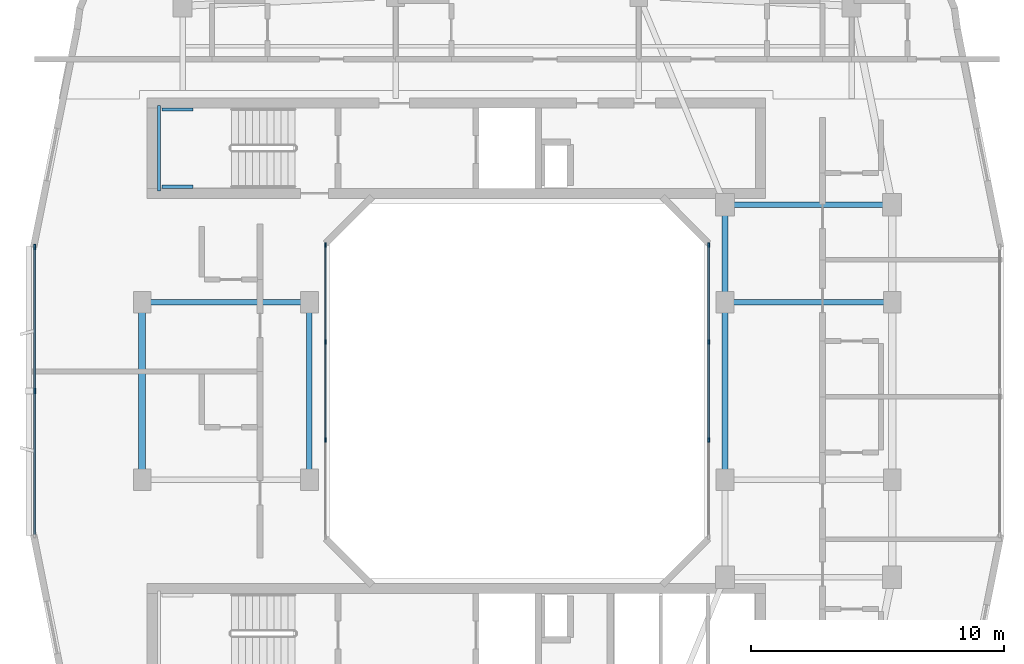
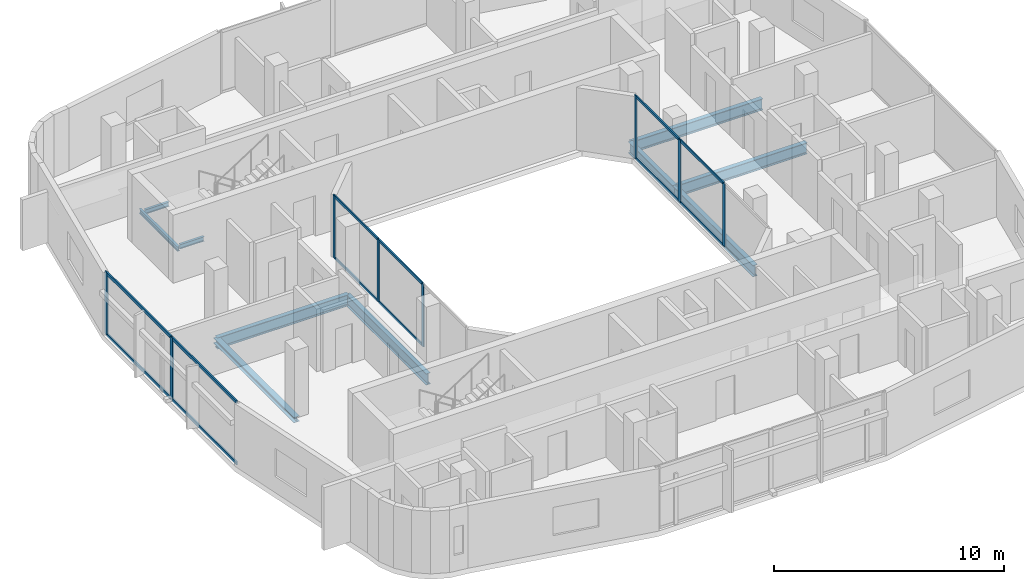
# One storey, part 3 of 14: 20 members, 10 beams, 3 elements without a shape of their own.
"""IFC4 building model written with IfcOpenShell, lengths in metres."""

from ifc_helpers import new_model, si_unit, derived_unit, direction, frame, origin, origin_2d, place, context, subcontext, project, spatial, rectangle, i_section, extrude, material, layer, layer_set, material_profile, profile_set, type_object, element, aggregate, save


model = new_model("IFC4")

# Units and contexts
model_context = context("Model", 3, precision=1e-05, world=origin(), true_north=direction((0.0, 1.0)))
body_context = subcontext(model_context, "Body", "Model", "MODEL_VIEW")
ifc_project = project(units=[si_unit("LENGTHUNIT", "METRE"), si_unit("AREAUNIT", "SQUARE_METRE"), si_unit("VOLUMEUNIT", "CUBIC_METRE"), si_unit("PLANEANGLEUNIT", "RADIAN"), si_unit("MASSUNIT", "GRAM", prefix="KILO"), derived_unit("THERMALTRANSMITTANCEUNIT", [(si_unit("POWERUNIT", "WATT"), 1), (si_unit("LENGTHUNIT", "METRE"), -2), (si_unit("THERMODYNAMICTEMPERATUREUNIT", "KELVIN"), -1)])], contexts=[model_context])

# Site, building, storey
site_placement = place(None, origin())
site = spatial("IfcSite", under=ifc_project, at=site_placement, CompositionType="ELEMENT")
building_placement = place(site_placement, origin())
building = spatial("IfcBuilding", under=site, at=building_placement, Name="Kivonza Crest Hotel", CompositionType="ELEMENT")
storey_placement = place(building_placement, frame((0.0, 0.0, 224.300048828125)))
storey = spatial("IfcBuildingStorey", under=building, at=storey_placement, Name="L61", CompositionType="ELEMENT", Elevation=224.300048828125)

# Beams
ifc_material_1 = material(Name="Steel S355", Category="steel")
ifc_material_profile_1 = material_profile(ifc_material_1, i_section(OverallWidth=0.280029296875, OverallDepth=0.280029296875, WebThickness=0.010498046875, FlangeThickness=0.01806640625, FilletRadius=0.02392578125, at=origin_2d()), Name="HEB 280")
ifc_profile_set_1 = profile_set([ifc_material_profile_1], Name="Steel S355")
beam_type_1 = type_object("IfcBeamType", Name="BM-HEB280", PredefinedType="SPANDREL", material=ifc_profile_set_1)
beam_1_placement = place(storey_placement, frame((6.199951171875, 28.5, -0.420166015625), z_axis=(0.0, -1.0, 0.0), x_axis=(1.0, 0.0, 0.0)))
element("IfcBeam", 1, at=beam_1_placement, inside=storey, type_object=beam_type_1, Name="Tower T1 L61 perimeter spandrel W2-W1", PredefinedType="SPANDREL", context=body_context, shape_type="SweptSolid", body=[
    extrude(i_section(OverallWidth=0.280029296875, OverallDepth=0.280029296875, WebThickness=0.010498046875, FlangeThickness=0.01806640625, FilletRadius=0.02392578125, at=origin_2d()), origin(), (0.0, 0.0, 1.0), 7.0),
])
ifc_material_profile_2 = material_profile(ifc_material_1, i_section(OverallWidth=0.219970703125, OverallDepth=0.60009765625, WebThickness=0.011962890625, FlangeThickness=0.01904296875, FilletRadius=0.02392578125, at=origin_2d()), Name="IPE 600")
ifc_profile_set_2 = profile_set([ifc_material_profile_2], Name="Steel S355")
beam_type_2 = type_object("IfcBeamType", Name="BM-IPE600", PredefinedType="BEAM", material=ifc_profile_set_2)
beam_2_placement = place(storey_placement, frame((6.199951171875, 28.5, -0.580078125), z_axis=(1.0, 0.0, 0.0), x_axis=(0.0, 1.0, 0.0)))
element("IfcBeam", 2, at=beam_2_placement, inside=storey, type_object=beam_type_2, Name="Tower T1 L61 primary girder W2-WL2", PredefinedType="BEAM", context=body_context, shape_type="SweptSolid", body=[
    extrude(i_section(OverallWidth=0.219970703125, OverallDepth=0.60009765625, WebThickness=0.011962890625, FlangeThickness=0.01904296875, FilletRadius=0.02392578125, at=origin_2d()), origin(), (0.0, 0.0, 1.0), 6.60009765625),
])
beam_3_placement = place(storey_placement, frame((12.800048828125, 21.5, -0.580078125), z_axis=(0.0, 1.0, 0.0), x_axis=(-1.0, 0.0, 0.0)))
element("IfcBeam", 3, at=beam_3_placement, inside=storey, type_object=beam_type_2, Name="Tower T1 L61 primary girder WL1-WL2", PredefinedType="BEAM", context=body_context, shape_type="SweptSolid", body=[
    extrude(i_section(OverallWidth=0.219970703125, OverallDepth=0.60009765625, WebThickness=0.011962890625, FlangeThickness=0.01904296875, FilletRadius=0.02392578125, at=origin_2d()), origin(), (0.0, 0.0, 1.0), 7.0),
])
beam_4_placement = place(storey_placement, frame((29.199951171875, 32.35009765625, -0.580078125), z_axis=(1.0, 0.0, 0.0), x_axis=(0.0, 1.0, 0.0)))
element("IfcBeam", 4, at=beam_4_placement, inside=storey, type_object=beam_type_2, Name="Tower T1 L61 primary girder TNE-PNE", PredefinedType="BEAM", context=body_context, shape_type="SweptSolid", body=[
    extrude(i_section(OverallWidth=0.219970703125, OverallDepth=0.60009765625, WebThickness=0.011962890625, FlangeThickness=0.01904296875, FilletRadius=0.02392578125, at=origin_2d()), origin(), (0.0, 0.0, 1.0), 6.60009765625),
])
beam_5_placement = place(storey_placement, frame((29.199951171875, 21.5, -0.580078125), z_axis=(0.0, 1.0, 0.0), x_axis=(-1.0, 0.0, 0.0)))
element("IfcBeam", 5, at=beam_5_placement, inside=storey, type_object=beam_type_2, Name="Tower T1 L61 primary girder WR1-WR2", PredefinedType="BEAM", context=body_context, shape_type="SweptSolid", body=[
    extrude(i_section(OverallWidth=0.219970703125, OverallDepth=0.60009765625, WebThickness=0.011962890625, FlangeThickness=0.01904296875, FilletRadius=0.02392578125, at=origin_2d()), origin(), (0.0, 0.0, 1.0), 7.0),
])
beam_6_placement = place(storey_placement, frame((29.199951171875, 28.5, -0.580078125), z_axis=(0.0, 1.0, 0.0), x_axis=(-1.0, 0.0, 0.0)))
element("IfcBeam", 6, at=beam_6_placement, inside=storey, type_object=beam_type_2, Name="Tower T1 L61 primary girder WR2-TNE", PredefinedType="BEAM", context=body_context, shape_type="SweptSolid", body=[
    extrude(i_section(OverallWidth=0.219970703125, OverallDepth=0.60009765625, WebThickness=0.011962890625, FlangeThickness=0.01904296875, FilletRadius=0.02392578125, at=origin_2d()), origin(), (0.0, 0.0, 1.0), 3.85009765625),
])
beam_7_placement = place(storey_placement, frame((29.199951171875, 28.5, -0.580078125), z_axis=(1.0, 0.0, 0.0), x_axis=(0.0, 1.0, 0.0)))
element("IfcBeam", 7, at=beam_7_placement, inside=storey, type_object=beam_type_2, Name="Tower T1 L61 primary girder WR2-E2", PredefinedType="BEAM", context=body_context, shape_type="SweptSolid", body=[
    extrude(i_section(OverallWidth=0.219970703125, OverallDepth=0.60009765625, WebThickness=0.011962890625, FlangeThickness=0.01904296875, FilletRadius=0.02392578125, at=origin_2d()), origin(), (0.0, 0.0, 1.0), 6.60009765625),
])
ifc_material_profile_3 = material_profile(ifc_material_1, i_section(OverallWidth=0.1201171875, OverallDepth=0.239990234375, WebThickness=0.006103515625, FlangeThickness=0.009765625, FilletRadius=0.014892578125, at=origin_2d()), Name="IPE 240")
ifc_profile_set_3 = profile_set([ifc_material_profile_3], Name="Steel S355")
beam_type_3 = type_object("IfcBeamType", Name="BM-LLDG-240", PredefinedType="BEAM", material=ifc_profile_set_3)
beam_8_placement = place(storey_placement, frame((6.860107421875, 32.89990234375, 1.47998046875), z_axis=(0.0, 1.0, 0.0), x_axis=(-1.0, 0.0, 0.0)))
element("IfcBeam", 8, at=beam_8_placement, inside=storey, type_object=beam_type_3, Name="Stair ST-T1-N L61 West landing corbel", PredefinedType="BEAM", context=body_context, shape_type="SweptSolid", body=[
    extrude(i_section(OverallWidth=0.1201171875, OverallDepth=0.239990234375, WebThickness=0.006103515625, FlangeThickness=0.009765625, FilletRadius=0.014892578125, at=origin_2d()), origin(), (0.0, 0.0, 1.0), 3.360107421875),
])
for number, where, z_axis, x_axis, name in (
    (9, (6.989990234375, 33.06005859375, 1.47998046875), (1.0, 0.0, 0.0), (0.0, 1.0, 0.0), "Stair ST-T1-N L61 South landing corbel"),
    (10, (6.989990234375, 36.10009765625, 1.47998046875), (1.0, 0.0, 0.0), (0.0, 1.0, 0.0), "Stair ST-T1-N L61 North landing corbel"),
):
    element("IfcBeam", number, at=place(storey_placement, frame(where, z_axis=z_axis, x_axis=x_axis)), inside=storey, type_object=beam_type_3, Name=name, PredefinedType="BEAM", context=body_context, shape_type="SweptSolid", body=[
        extrude(i_section(OverallWidth=0.1201171875, OverallDepth=0.239990234375, WebThickness=0.006103515625, FlangeThickness=0.009765625, FilletRadius=0.014892578125, at=origin_2d()), origin(), (0.0, 0.0, 1.0), 1.2099609375),
    ])

# Curtain wall, members
ifc_material_2 = material(Name="Anodised bronze aluminium and low-E double glazing", Category="aluminium")
ifc_layer_1 = layer(ifc_material_2, 0.159912109375)
ifc_layer_set_1 = layer_set([ifc_layer_1], Name="Anodised bronze aluminium and low-E double glazing")
curtain_wall_type_1 = type_object("IfcCurtainWallType", Name="CW-SYS-5", PredefinedType="NOTDEFINED", material=ifc_layer_set_1)
curtain_wall_1_placement = place(storey_placement, origin())
curtain_wall_1 = element("IfcCurtainWall", 11, at=curtain_wall_1_placement, inside=storey, type_object=curtain_wall_type_1, Name="L61 unitised curtain wall CW-WELL-T1-L61-3", PredefinedType="NOTDEFINED")
ifc_material_3 = material(Name="Anodised bronze aluminium", Category="aluminium")
ifc_material_profile_4 = material_profile(ifc_material_3, rectangle(XDim=0.06494140625, YDim=0.179931640625, at=origin_2d()), Name="CW-M 65x180")
ifc_profile_set_4 = profile_set([ifc_material_profile_4], Name="Anodised bronze aluminium")
member_type_1 = type_object("IfcMemberType", Name="CW-MUL-65x180", PredefinedType="MULLION", material=ifc_profile_set_4)
member_1_placement = place(storey_placement, frame((28.56005859375, 23.066650390625, 0.0), z_axis=(0.0, 0.0, 1.0), x_axis=(-1.0, 0.0, 0.0)))
member_1 = element("IfcMember", 12, at=member_1_placement, type_object=member_type_1, Name="CW-5 mullion 2", PredefinedType="MULLION", context=body_context, shape_type="SweptSolid", body=[
    extrude(rectangle(XDim=0.06494140625, YDim=0.179931640625, at=origin_2d()), origin(), (0.0, 0.0, 1.0), 3.320068359375),
])
member_2_placement = place(storey_placement, frame((28.56005859375, 26.933349609375, 0.0), z_axis=(0.0, 0.0, 1.0), x_axis=(-1.0, 0.0, 0.0)))
member_2 = element("IfcMember", 13, at=member_2_placement, type_object=member_type_1, Name="CW-5 mullion 3", PredefinedType="MULLION", context=body_context, shape_type="SweptSolid", body=[
    extrude(rectangle(XDim=0.06494140625, YDim=0.179931640625, at=origin_2d()), origin(), (0.0, 0.0, 1.0), 3.320068359375),
])
member_3_placement = place(storey_placement, frame((28.56005859375, 30.767578125, 0.0), z_axis=(0.0, 0.0, 1.0), x_axis=(-1.0, 0.0, 0.0)))
member_3 = element("IfcMember", 14, at=member_3_placement, type_object=member_type_1, Name="CW-5 mullion 4", PredefinedType="MULLION", context=body_context, shape_type="SweptSolid", body=[
    extrude(rectangle(XDim=0.06494140625, YDim=0.179931640625, at=origin_2d()), origin(), (0.0, 0.0, 1.0), 3.320068359375),
])

curtain_wall_2_placement = place(storey_placement, origin())
curtain_wall_2 = element("IfcCurtainWall", 15, at=curtain_wall_2_placement, inside=storey, type_object=curtain_wall_type_1, Name="L61 unitised curtain wall CW-WELL-T1-L61-7", PredefinedType="NOTDEFINED")
member_4_placement = place(storey_placement, frame((13.43994140625, 30.767578125, 0.0), z_axis=(0.0, 0.0, 1.0), x_axis=(1.0, 0.0, 0.0)))
member_4 = element("IfcMember", 16, at=member_4_placement, type_object=member_type_1, Name="CW-5 mullion 1", PredefinedType="MULLION", context=body_context, shape_type="SweptSolid", body=[
    extrude(rectangle(XDim=0.06494140625, YDim=0.179931640625, at=origin_2d()), origin(), (0.0, 0.0, 1.0), 3.320068359375),
])
member_5_placement = place(storey_placement, frame((13.43994140625, 26.933349609375, 0.0), z_axis=(0.0, 0.0, 1.0), x_axis=(1.0, 0.0, 0.0)))
member_5 = element("IfcMember", 17, at=member_5_placement, type_object=member_type_1, Name="CW-5 mullion 2", PredefinedType="MULLION", context=body_context, shape_type="SweptSolid", body=[
    extrude(rectangle(XDim=0.06494140625, YDim=0.179931640625, at=origin_2d()), origin(), (0.0, 0.0, 1.0), 3.320068359375),
])
member_6_placement = place(storey_placement, frame((13.43994140625, 23.066650390625, 0.0), z_axis=(0.0, 0.0, 1.0), x_axis=(1.0, 0.0, 0.0)))
member_6 = element("IfcMember", 18, at=member_6_placement, type_object=member_type_1, Name="CW-5 mullion 3", PredefinedType="MULLION", context=body_context, shape_type="SweptSolid", body=[
    extrude(rectangle(XDim=0.06494140625, YDim=0.179931640625, at=origin_2d()), origin(), (0.0, 0.0, 1.0), 3.320068359375),
])

ifc_layer_2 = layer(ifc_material_2, 0.179931640625)
ifc_layer_set_2 = layer_set([ifc_layer_2], Name="Anodised bronze aluminium and low-E double glazing")
curtain_wall_type_2 = type_object("IfcCurtainWallType", Name="CW-SYS-3", PredefinedType="NOTDEFINED", material=ifc_layer_set_2)
curtain_wall_3_placement = place(storey_placement, origin())
curtain_wall_3 = element("IfcCurtainWall", 19, at=curtain_wall_3_placement, inside=storey, type_object=curtain_wall_type_2, Name="L61 unitised curtain wall CW-T1-L61-35", PredefinedType="NOTDEFINED")
ifc_material_profile_5 = material_profile(ifc_material_3, rectangle(XDim=0.074951171875, YDim=0.219970703125, at=origin_2d()), Name="CW-M 75x220")
ifc_profile_set_5 = profile_set([ifc_material_profile_5], Name="Anodised bronze aluminium")
member_type_2 = type_object("IfcMemberType", Name="CW-MUL-75x220", PredefinedType="MULLION", material=ifc_profile_set_5)
member_7_placement = place(storey_placement, frame((1.9599609375, 30.6826171875, 0.0), z_axis=(0.0, 0.0, 1.0), x_axis=(1.0, 0.0, 0.0)))
member_7 = element("IfcMember", 20, at=member_7_placement, type_object=member_type_2, Name="CW-3 mullion 1", PredefinedType="MULLION", context=body_context, shape_type="SweptSolid", body=[
    extrude(rectangle(XDim=0.074951171875, YDim=0.219970703125, at=origin_2d()), origin(), (0.0, 0.0, 1.0), 3.320068359375),
])
member_8_placement = place(storey_placement, frame((1.9599609375, 25.0, 0.0), z_axis=(0.0, 0.0, 1.0), x_axis=(1.0, 0.0, 0.0)))
member_8 = element("IfcMember", 21, at=member_8_placement, type_object=member_type_2, Name="CW-3 mullion 2", PredefinedType="MULLION", context=body_context, shape_type="SweptSolid", body=[
    extrude(rectangle(XDim=0.074951171875, YDim=0.219970703125, at=origin_2d()), origin(), (0.0, 0.0, 1.0), 3.320068359375),
])

# Member
ifc_material_profile_6 = material_profile(ifc_material_3, rectangle(XDim=0.06494140625, YDim=0.139892578125, at=origin_2d()), Name="CW-T 65x140")
ifc_profile_set_6 = profile_set([ifc_material_profile_6], Name="Anodised bronze aluminium")
member_type_3 = type_object("IfcMemberType", Name="CW-TRN-65x140", PredefinedType="USERDEFINED", material=ifc_profile_set_6)
member_9_placement = place(storey_placement, frame((28.56005859375, 23.09912109375, 0.032470703125), z_axis=(0.0, 1.0, 0.0), x_axis=(-1.0, 0.0, 0.0)))
member_9 = element("IfcMember", 22, at=member_9_placement, type_object=member_type_3, Name="CW-5 transom 2.1", ObjectType="TRANSOM", PredefinedType="USERDEFINED", context=body_context, shape_type="SweptSolid", body=[
    extrude(rectangle(XDim=0.06494140625, YDim=0.139892578125, at=origin_2d()), origin(), (0.0, 0.0, 1.0), 3.8017578125),
])

member_10_placement = place(storey_placement, frame((28.56005859375, 23.09912109375, 3.287353515625), z_axis=(0.0, 1.0, 0.0), x_axis=(-1.0, 0.0, 0.0)))
member_10 = element("IfcMember", 23, at=member_10_placement, type_object=member_type_3, Name="CW-5 transom 2.2", ObjectType="TRANSOM", PredefinedType="USERDEFINED", context=body_context, shape_type="SweptSolid", body=[
    extrude(rectangle(XDim=0.06494140625, YDim=0.139892578125, at=origin_2d()), origin(), (0.0, 0.0, 1.0), 3.8017578125),
])

member_11_placement = place(storey_placement, frame((28.56005859375, 26.9658203125, 0.032470703125), z_axis=(0.0, 1.0, 0.0), x_axis=(-1.0, 0.0, 0.0)))
member_11 = element("IfcMember", 24, at=member_11_placement, type_object=member_type_3, Name="CW-5 transom 3.1", ObjectType="TRANSOM", PredefinedType="USERDEFINED", context=body_context, shape_type="SweptSolid", body=[
    extrude(rectangle(XDim=0.06494140625, YDim=0.139892578125, at=origin_2d()), origin(), (0.0, 0.0, 1.0), 3.769287109375),
])

member_12_placement = place(storey_placement, frame((28.56005859375, 26.9658203125, 3.287353515625), z_axis=(0.0, 1.0, 0.0), x_axis=(-1.0, 0.0, 0.0)))
member_12 = element("IfcMember", 25, at=member_12_placement, type_object=member_type_3, Name="CW-5 transom 3.2", ObjectType="TRANSOM", PredefinedType="USERDEFINED", context=body_context, shape_type="SweptSolid", body=[
    extrude(rectangle(XDim=0.06494140625, YDim=0.139892578125, at=origin_2d()), origin(), (0.0, 0.0, 1.0), 3.769287109375),
])

aggregate(curtain_wall_1, [member_1, member_2, member_3, member_9, member_10, member_11, member_12])

member_13_placement = place(storey_placement, frame((13.43994140625, 30.735107421875, 0.032470703125), z_axis=(0.0, -1.0, 0.0), x_axis=(1.0, 0.0, 0.0)))
member_13 = element("IfcMember", 26, at=member_13_placement, type_object=member_type_3, Name="CW-5 transom 1.1", ObjectType="TRANSOM", PredefinedType="USERDEFINED", context=body_context, shape_type="SweptSolid", body=[
    extrude(rectangle(XDim=0.06494140625, YDim=0.139892578125, at=origin_2d()), origin(), (0.0, 0.0, 1.0), 3.769287109375),
])

member_14_placement = place(storey_placement, frame((13.43994140625, 30.735107421875, 3.287353515625), z_axis=(0.0, -1.0, 0.0), x_axis=(1.0, 0.0, 0.0)))
member_14 = element("IfcMember", 27, at=member_14_placement, type_object=member_type_3, Name="CW-5 transom 1.2", ObjectType="TRANSOM", PredefinedType="USERDEFINED", context=body_context, shape_type="SweptSolid", body=[
    extrude(rectangle(XDim=0.06494140625, YDim=0.139892578125, at=origin_2d()), origin(), (0.0, 0.0, 1.0), 3.769287109375),
])

member_15_placement = place(storey_placement, frame((13.43994140625, 26.90087890625, 0.032470703125), z_axis=(0.0, -1.0, 0.0), x_axis=(1.0, 0.0, 0.0)))
member_15 = element("IfcMember", 28, at=member_15_placement, type_object=member_type_3, Name="CW-5 transom 2.1", ObjectType="TRANSOM", PredefinedType="USERDEFINED", context=body_context, shape_type="SweptSolid", body=[
    extrude(rectangle(XDim=0.06494140625, YDim=0.139892578125, at=origin_2d()), origin(), (0.0, 0.0, 1.0), 3.8017578125),
])

member_16_placement = place(storey_placement, frame((13.43994140625, 26.90087890625, 3.287353515625), z_axis=(0.0, -1.0, 0.0), x_axis=(1.0, 0.0, 0.0)))
member_16 = element("IfcMember", 29, at=member_16_placement, type_object=member_type_3, Name="CW-5 transom 2.2", ObjectType="TRANSOM", PredefinedType="USERDEFINED", context=body_context, shape_type="SweptSolid", body=[
    extrude(rectangle(XDim=0.06494140625, YDim=0.139892578125, at=origin_2d()), origin(), (0.0, 0.0, 1.0), 3.8017578125),
])

aggregate(curtain_wall_2, [member_4, member_5, member_6, member_13, member_14, member_15, member_16])

ifc_material_profile_7 = material_profile(ifc_material_3, rectangle(XDim=0.074951171875, YDim=0.159912109375, at=origin_2d()), Name="CW-T 75x160")
ifc_profile_set_7 = profile_set([ifc_material_profile_7], Name="Anodised bronze aluminium")
member_type_4 = type_object("IfcMemberType", Name="CW-TRN-75x160", PredefinedType="USERDEFINED", material=ifc_profile_set_7)
member_17_placement = place(storey_placement, frame((1.9599609375, 30.64501953125, 0.037353515625), z_axis=(0.0, -1.0, 0.0), x_axis=(1.0, 0.0, 0.0)))
member_17 = element("IfcMember", 30, at=member_17_placement, type_object=member_type_4, Name="CW-3 transom 1.1", ObjectType="TRANSOM", PredefinedType="USERDEFINED", context=body_context, shape_type="SweptSolid", body=[
    extrude(rectangle(XDim=0.074951171875, YDim=0.159912109375, at=origin_2d()), origin(), (0.0, 0.0, 1.0), 5.607421875),
])

member_18_placement = place(storey_placement, frame((1.9599609375, 30.64501953125, 3.282470703125), z_axis=(0.0, -1.0, 0.0), x_axis=(1.0, 0.0, 0.0)))
member_18 = element("IfcMember", 31, at=member_18_placement, type_object=member_type_4, Name="CW-3 transom 1.2", ObjectType="TRANSOM", PredefinedType="USERDEFINED", context=body_context, shape_type="SweptSolid", body=[
    extrude(rectangle(XDim=0.074951171875, YDim=0.159912109375, at=origin_2d()), origin(), (0.0, 0.0, 1.0), 5.607421875),
])

member_19_placement = place(storey_placement, frame((1.9599609375, 24.96240234375, 0.037353515625), z_axis=(0.0, -1.0, 0.0), x_axis=(1.0, 0.0, 0.0)))
member_19 = element("IfcMember", 32, at=member_19_placement, type_object=member_type_4, Name="CW-3 transom 2.1", ObjectType="TRANSOM", PredefinedType="USERDEFINED", context=body_context, shape_type="SweptSolid", body=[
    extrude(rectangle(XDim=0.074951171875, YDim=0.159912109375, at=origin_2d()), origin(), (0.0, 0.0, 1.0), 5.607421875),
])

member_20_placement = place(storey_placement, frame((1.9599609375, 24.96240234375, 3.282470703125), z_axis=(0.0, -1.0, 0.0), x_axis=(1.0, 0.0, 0.0)))
member_20 = element("IfcMember", 33, at=member_20_placement, type_object=member_type_4, Name="CW-3 transom 2.2", ObjectType="TRANSOM", PredefinedType="USERDEFINED", context=body_context, shape_type="SweptSolid", body=[
    extrude(rectangle(XDim=0.074951171875, YDim=0.159912109375, at=origin_2d()), origin(), (0.0, 0.0, 1.0), 5.607421875),
])

aggregate(curtain_wall_3, [member_7, member_8, member_17, member_18, member_19, member_20])

save(model, "model.ifc")
